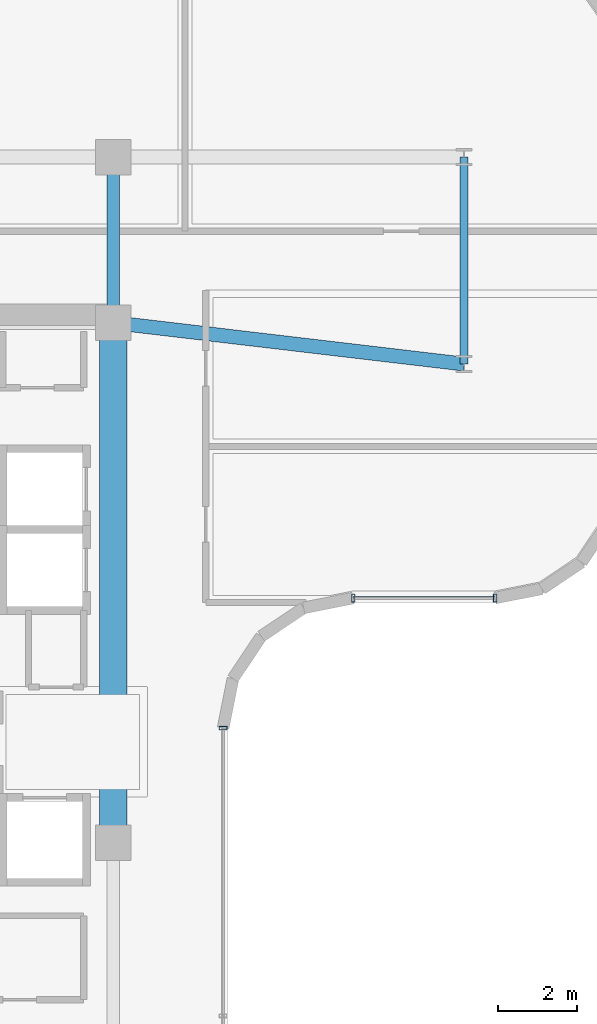
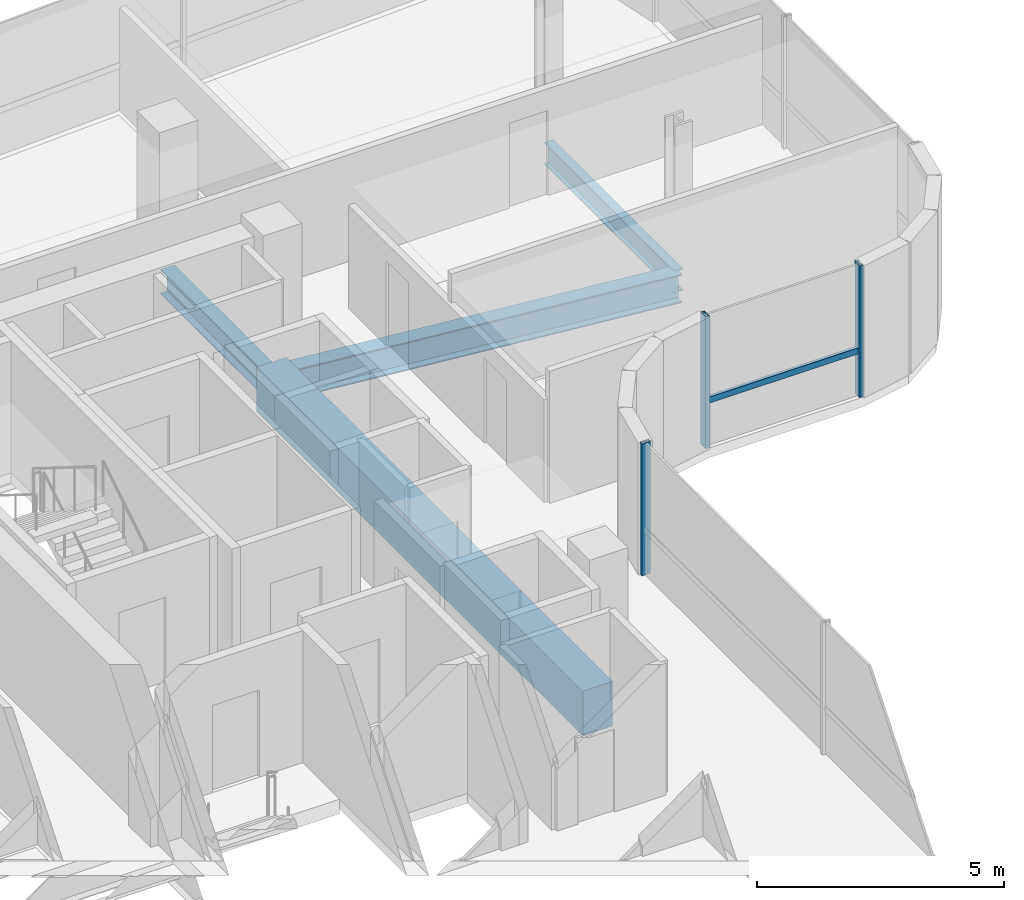
# One storey, part 10 of 21: 4 beams, 4 members, 2 elements without a shape of their own.
"""IFC4 building model written with IfcOpenShell, lengths in metres."""

from ifc_helpers import new_model, si_unit, direction, frame, origin, origin_2d, place, context, subcontext, project, spatial, rectangle, hollow_rectangle, i_section, extrude, source, transform, mapped, material, material_profile, profile_set, type_object, element, aggregate, save


model = new_model("IFC4")

# Units and contexts
model_context = context("Model", 3, precision=1e-05, world=origin(), true_north=direction((0.0, 1.0)))
body_context = subcontext(model_context, "Body", "Model", "MODEL_VIEW")
ifc_project = project(units=[si_unit("LENGTHUNIT", "METRE"), si_unit("AREAUNIT", "SQUARE_METRE"), si_unit("VOLUMEUNIT", "CUBIC_METRE"), si_unit("PLANEANGLEUNIT", "RADIAN"), si_unit("MASSUNIT", "GRAM", prefix="KILO")], contexts=[model_context])

# Site, building, storey
site_placement = place(None, origin())
site = spatial("IfcSite", under=ifc_project, at=site_placement, CompositionType="ELEMENT")
building_placement = place(site_placement, origin())
building = spatial("IfcBuilding", under=site, at=building_placement, Name="Valdorenza Pilgrim Sanctuary Tower", CompositionType="ELEMENT")
storey_placement = place(building_placement, frame((0.0, 0.0, 223.0)))
storey = spatial("IfcBuildingStorey", under=building, at=storey_placement, Name="L57", CompositionType="ELEMENT", Elevation=223.0)

# Beams
ifc_material_1 = material(Name="Concrete C50/60", Category="concrete")
ifc_material_profile_1 = material_profile(ifc_material_1, rectangle(XDim=0.699951171875, YDim=1.10009765625, at=origin_2d()), Name="RC 1100x700")
ifc_profile_set_1 = profile_set([ifc_material_profile_1], Name="Concrete C50/60")
beam_type_1 = type_object("IfcBeamType", Name="STR-BM-LNT-1100", PredefinedType="LINTEL", material=ifc_profile_set_1)
shared_shape_1 = source(origin(), body_context, "Body", "SweptSolid", [
    extrude(rectangle(XDim=0.699951171875, YDim=1.10009765625, at=origin_2d()), origin(), (0.0, 0.0, 1.0), 13.2001953125),
])
beam_1_placement = place(storey_placement, frame((-12.39990234375, -2.60009765625, -0.590087890625), z_axis=(0.0, 1.0, 0.0), x_axis=(-1.0, 0.0, 0.0)))
element("IfcBeam", 1, at=beam_1_placement, inside=storey, type_object=beam_type_1, Name="L57 Core A Coupling Lintel Girder", PredefinedType="LINTEL", context=body_context, shape_type="MappedRepresentation", body=[
    mapped(shared_shape_1, transform((0.0, 0.0, 0.0), x_axis=(1.0, 0.0, 0.0), y_axis=(0.0, 1.0, 0.0), z_axis=(0.0, 0.0, 1.0), scale=1.0)),
])
ifc_material_2 = material(Name="Steel ASTM A992 Grade 50", Category="steel")
ifc_material_profile_2 = material_profile(ifc_material_2, i_section(OverallWidth=0.323974609375, OverallDepth=0.611083984375, WebThickness=0.0126953125, FlangeThickness=0.01904296875, at=origin_2d()), Name="W24X104")
ifc_profile_set_2 = profile_set([ifc_material_profile_2], Name="Steel ASTM A992 Grade 50")
beam_type_2 = type_object("IfcBeamType", Name="STR-BM-GRD-W24B", PredefinedType="BEAM", material=ifc_profile_set_2)
shared_shape_2 = source(origin(), body_context, "Body", "SweptSolid", [
    extrude(i_section(OverallWidth=0.323974609375, OverallDepth=0.611083984375, WebThickness=0.0126953125, FlangeThickness=0.01904296875, at=origin_2d()), origin(), (0.0, 0.0, 1.0), 4.199951171875),
])
beam_2_placement = place(storey_placement, frame((-12.39990234375, 10.60009765625, -0.54541015625), z_axis=(0.0, 1.0, 0.0), x_axis=(-1.0, 0.0, 0.0)))
element("IfcBeam", 2, at=beam_2_placement, inside=storey, type_object=beam_type_2, Name="L57 Core Tie Girder CA-E-N1N2", PredefinedType="BEAM", context=body_context, shape_type="MappedRepresentation", body=[
    mapped(shared_shape_2, transform((0.0, 0.0, 0.0), x_axis=(1.0, 0.0, 0.0), y_axis=(0.0, 1.0, 0.0), z_axis=(0.0, 0.0, 1.0), scale=1.0)),
])
ifc_material_profile_3 = material_profile(ifc_material_2, i_section(OverallWidth=0.2109375, OverallDepth=0.5390625, WebThickness=0.01171875, FlangeThickness=0.018798828125, at=origin_2d()), Name="W21X73")
ifc_profile_set_3 = profile_set([ifc_material_profile_3], Name="Steel ASTM A992 Grade 50")
beam_type_3 = type_object("IfcBeamType", Name="STR-BM-SPN-W21B", PredefinedType="SPANDREL", material=ifc_profile_set_3)
shared_shape_3 = source(origin(), body_context, "Body", "SweptSolid", [
    extrude(i_section(OverallWidth=0.2109375, OverallDepth=0.5390625, WebThickness=0.01171875, FlangeThickness=0.018798828125, at=origin_2d()), origin(), (0.0, 0.0, 1.0), 5.25),
])
beam_3_placement = place(storey_placement, frame((-3.5, 9.550048828125, -0.509521484375), z_axis=(0.0, 1.0, 0.0), x_axis=(-1.0, 0.0, 0.0)))
element("IfcBeam", 3, at=beam_3_placement, inside=storey, type_object=beam_type_3, Name="L57 Floor Girder UWA-KTIE", PredefinedType="SPANDREL", context=body_context, shape_type="MappedRepresentation", body=[
    mapped(shared_shape_3, transform((0.0, 0.0, 0.0), x_axis=(1.0, 0.0, 0.0), y_axis=(0.0, 1.0, 0.0), z_axis=(0.0, 0.0, 1.0), scale=1.0)),
])
ifc_material_profile_4 = material_profile(ifc_material_2, i_section(OverallWidth=0.35595703125, OverallDepth=0.700927734375, WebThickness=0.016845703125, FlangeThickness=0.02734375, at=origin_2d()), Name="W27X161")
ifc_profile_set_4 = profile_set([ifc_material_profile_4], Name="Steel ASTM A992 Grade 50")
beam_type_4 = type_object("IfcBeamType", Name="STR-BM-GRD-W27", PredefinedType="BEAM", material=ifc_profile_set_4)
shared_shape_4 = source(origin(), body_context, "Body", "SweptSolid", [
    extrude(i_section(OverallWidth=0.35595703125, OverallDepth=0.700927734375, WebThickness=0.016845703125, FlangeThickness=0.02734375, at=origin_2d()), origin(), (0.0, 0.0, 1.0), 8.961669921875),
])
beam_4_placement = place(storey_placement, frame((-12.39990234375, 10.60009765625, -0.590576171875), z_axis=(0.993111684121, -0.117171595803, 0.0), x_axis=(0.117171595803, 0.993111684121, 0.0)))
element("IfcBeam", 4, at=beam_4_placement, inside=storey, type_object=beam_type_4, Name="L57 Floor Girder UWA-KG1", PredefinedType="BEAM", context=body_context, shape_type="MappedRepresentation", body=[
    mapped(shared_shape_4, transform((0.0, 0.0, 0.0), x_axis=(1.0, 0.0, 0.0), y_axis=(0.0, 1.0, 0.0), z_axis=(0.0, 0.0, 1.0), scale=1.0)),
])

# Curtain wall, members
ifc_material_3 = material(Name="Curtain-wall IGU glazing", Category="glass")
curtain_wall_type = type_object("IfcCurtainWallType", Name="CW-SYS-02", PredefinedType="NOTDEFINED", material=ifc_material_3)
curtain_wall_1_placement = place(storey_placement, origin())
curtain_wall_1 = element("IfcCurtainWall", 5, at=curtain_wall_1_placement, inside=storey, type_object=curtain_wall_type, Name="L57 Curtain Wall CW-L57-1-16", PredefinedType="NOTDEFINED")
ifc_material_4 = material(Name="Anodised aluminium AW-6060", Category="aluminium")
ifc_material_profile_5 = material_profile(ifc_material_4, hollow_rectangle(XDim=0.074951171875, YDim=0.14990234375, WallThickness=0.00390625, at=origin_2d()), Name="ALU-T 150x75x4")
ifc_profile_set_5 = profile_set([ifc_material_profile_5], Name="Anodised aluminium AW-6060")
member_type_1 = type_object("IfcMemberType", Name="CW-TRN-02", PredefinedType="USERDEFINED", material=ifc_profile_set_5)
shared_shape_5 = source(origin(), body_context, "Body", "SweptSolid", [
    extrude(hollow_rectangle(XDim=0.074951171875, YDim=0.14990234375, WallThickness=0.00390625, at=origin_2d()), origin(), (0.0, 0.0, 1.0), 3.60009765625),
])
member_1_placement = place(storey_placement, frame((-2.710693359375, 3.610107421875, 1.1201171875), z_axis=(-1.0, 0.0, 0.0), x_axis=(0.0, -1.0, 0.0)))
member_1 = element("IfcMember", 6, at=member_1_placement, type_object=member_type_1, Name="CW-L57-1-16 Transom 1", ObjectType="TRANSOM", PredefinedType="USERDEFINED", context=body_context, shape_type="MappedRepresentation", body=[
    mapped(shared_shape_5, transform((0.0, 0.0, 0.0), x_axis=(1.0, 0.0, 0.0), y_axis=(0.0, 1.0, 0.0), z_axis=(0.0, 0.0, 1.0), scale=1.0)),
])
ifc_material_profile_6 = material_profile(ifc_material_4, hollow_rectangle(XDim=0.0849609375, YDim=0.199951171875, WallThickness=0.0048828125, at=origin_2d()), Name="ALU-M 200x85x5")
ifc_profile_set_6 = profile_set([ifc_material_profile_6], Name="Anodised aluminium AW-6060")
member_type_2 = type_object("IfcMemberType", Name="CW-MUL-02", PredefinedType="MULLION", material=ifc_profile_set_6)
shared_shape_6 = source(origin(), body_context, "Body", "SweptSolid", [
    extrude(hollow_rectangle(XDim=0.0849609375, YDim=0.199951171875, WallThickness=0.0048828125, at=origin_2d()), origin(), (0.0, 0.0, 1.0), 3.260009765625),
])
member_2_placement = place(storey_placement, frame((-2.710693359375, 3.610107421875, 0.0), z_axis=(0.0, 0.0, 1.0), x_axis=(-1.0, 0.0, 0.0)))
member_2 = element("IfcMember", 7, at=member_2_placement, type_object=member_type_2, Name="CW-L57-1-16 Mullion 1", PredefinedType="MULLION", context=body_context, shape_type="MappedRepresentation", body=[
    mapped(shared_shape_6, transform((0.0, 0.0, 0.0), x_axis=(1.0, 0.0, 0.0), y_axis=(0.0, 1.0, 0.0), z_axis=(0.0, 0.0, 1.0), scale=1.0)),
])
member_3_placement = place(storey_placement, frame((-6.310791015625, 3.610107421875, 0.0), z_axis=(0.0, 0.0, 1.0), x_axis=(-1.0, 0.0, 0.0)))
member_3 = element("IfcMember", 8, at=member_3_placement, type_object=member_type_2, Name="CW-L57-1-16 Mullion 2", PredefinedType="MULLION", context=body_context, shape_type="MappedRepresentation", body=[
    mapped(shared_shape_6, transform((0.0, 0.0, 0.0), x_axis=(1.0, 0.0, 0.0), y_axis=(0.0, 1.0, 0.0), z_axis=(0.0, 0.0, 1.0), scale=1.0)),
])
aggregate(curtain_wall_1, [member_2, member_3, member_1])

# Curtain wall, member
curtain_wall_2_placement = place(storey_placement, origin())
curtain_wall_2 = element("IfcCurtainWall", 9, at=curtain_wall_2_placement, inside=storey, type_object=curtain_wall_type, Name="L57 Curtain Wall CW-L57-1-21", PredefinedType="NOTDEFINED")
member_4_placement = place(storey_placement, frame((-9.610107421875, 0.310791015625, 0.0), z_axis=(0.0, 0.0, 1.0), x_axis=(0.0, -1.0, 0.0)))
member_4 = element("IfcMember", 10, at=member_4_placement, type_object=member_type_2, Name="CW-L57-1-21 Mullion 1", PredefinedType="MULLION", context=body_context, shape_type="MappedRepresentation", body=[
    mapped(shared_shape_6, transform((0.0, 0.0, 0.0), x_axis=(1.0, 0.0, 0.0), y_axis=(0.0, 1.0, 0.0), z_axis=(0.0, 0.0, 1.0), scale=1.0)),
])
aggregate(curtain_wall_2, [member_4])

save(model, "model.ifc")
